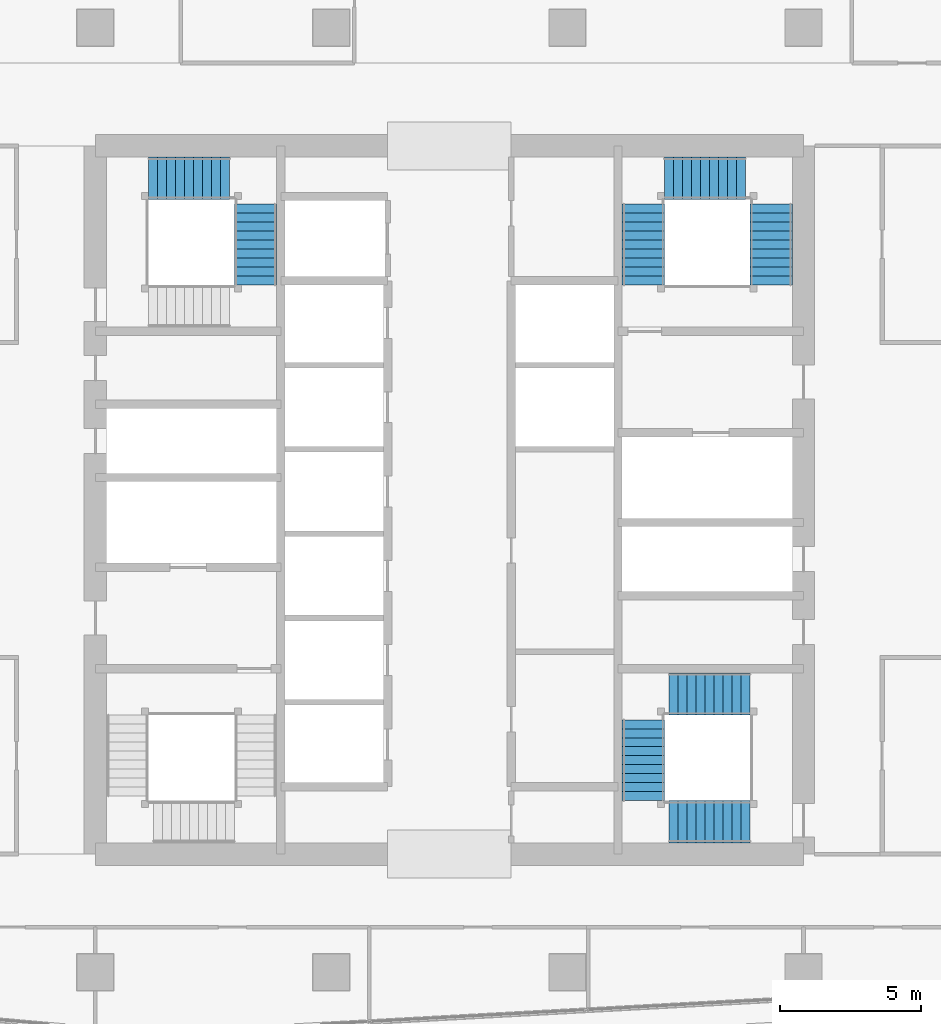
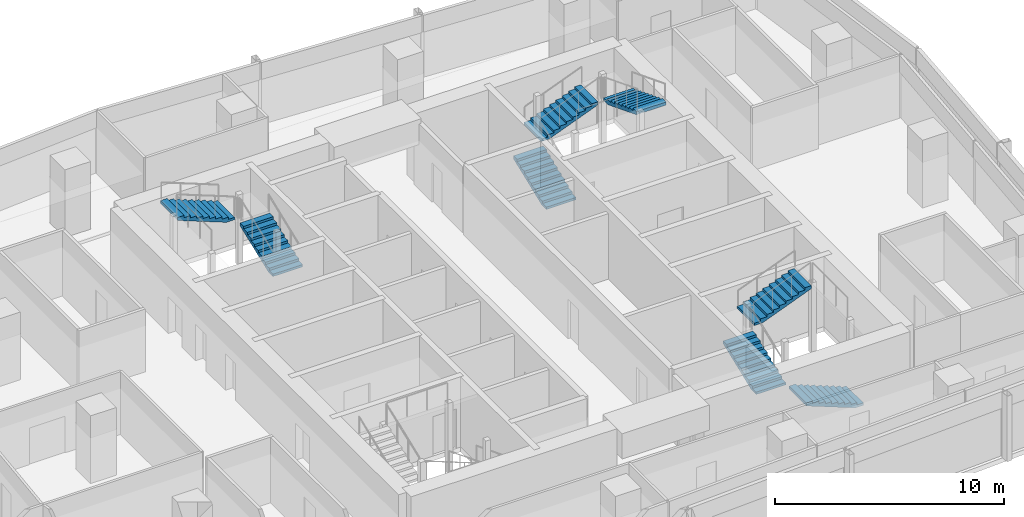
# One storey, part 25 of 30: 8 stair flights, 3 elements without a shape of their own.
"""IFC4 building model written with IfcOpenShell, lengths in metres."""

import ifcopenshell
import ifcopenshell.guid

model = None  # the IFC model being written
_history = None  # IfcOwnerHistory: only IFC2X3 demands one
_inside = {}  # id of a spatial element -> (the spatial element, [elements in it])
_under = {}  # id of a project, library or spatial element -> (it, [spatial elements below it])
_declared = {}  # id of a project -> (the project, [libraries it declares])
_typed = {}  # id of a type object -> (the type object, [elements of that type])
_made_of = {}  # id of a material, layer set ... -> (it, [elements and type objects made of it])


def new_model(schema):
    """Start an empty IFC model of exactly this schema.

    Asked for "IFC4X3", IfcOpenShell would pick the latest addendum, in which some entities
    have other attributes; the version numbers below select the first issue.
    IFC2X3 requires an IfcOwnerHistory on every rooted entity: one is made here for all.
    """
    global model, _history
    if schema == "IFC4X3":
        model = ifcopenshell.file(schema_version=(4, 3, 0, 0))
    else:
        model = ifcopenshell.file(schema=schema)
    _inside.clear()
    _under.clear()
    _declared.clear()
    _typed.clear()
    _made_of.clear()
    _history = None
    if model.schema == "IFC2X3":
        org = make("IfcOrganization", Name="unknown")
        user = make(
            "IfcPersonAndOrganization",
            ThePerson=make("IfcPerson", FamilyName="unknown"),
            TheOrganization=org,
        )
        app = make(
            "IfcApplication",
            ApplicationDeveloper=org,
            Version="unknown",
            ApplicationFullName="unknown",
            ApplicationIdentifier="unknown",
        )
        _history = make(
            "IfcOwnerHistory",
            OwningUser=user,
            OwningApplication=app,
            ChangeAction="ADDED",
            CreationDate=0,
        )
    return model


def make(cls, **values):
    """One entity of the class cls with the attributes given. An attribute that is None is left unset."""
    return model.create_entity(
        cls, **{name: value for name, value in values.items() if value is not None}
    )


def rooted(cls, **values):
    """An entity with a GlobalId (a new one), such as an element, a storey or a relation."""
    return make(cls, GlobalId=ifcopenshell.guid.new(), OwnerHistory=_history, **values)


def si_unit(unit_type, name, prefix=None):
    """IfcSIUnit, for example si_unit("LENGTHUNIT", "METRE", prefix="MILLI")."""
    return make("IfcSIUnit", UnitType=unit_type, Prefix=prefix, Name=name)


def assignment(units):
    """IfcUnitAssignment: the units of a project."""
    return None if units is None else make("IfcUnitAssignment", Units=units)


def point(xyz):
    """IfcCartesianPoint."""
    return None if xyz is None else make("IfcCartesianPoint", Coordinates=xyz)


def direction(xyz):
    """IfcDirection."""
    return None if xyz is None else make("IfcDirection", DirectionRatios=xyz)


def frame(location, z_axis=None, x_axis=None):
    """IfcAxis2Placement3D, a coordinate frame: its origin and axes. An axis left out is left unset."""
    return make(
        "IfcAxis2Placement3D",
        Location=point(location),
        Axis=direction(z_axis),
        RefDirection=direction(x_axis),
    )


def origin():
    """The frame at (0, 0, 0) with its axes left unset."""
    return frame((0.0, 0.0, 0.0))


def place(relative_to, where):
    """IfcLocalPlacement: puts the frame where relative to a parent placement (None: the world)."""
    return make(
        "IfcLocalPlacement", PlacementRelTo=relative_to, RelativePlacement=where
    )


def context(
    kind, dimensions, precision=None, world=None, true_north=None, identifier=None
):
    """IfcGeometricRepresentationContext, for example the 3D "Model" context."""
    return make(
        "IfcGeometricRepresentationContext",
        ContextIdentifier=identifier,
        ContextType=kind,
        CoordinateSpaceDimension=dimensions,
        Precision=precision,
        WorldCoordinateSystem=world,
        TrueNorth=true_north,
    )


def subcontext(parent, identifier, kind, view, scale=None):
    """IfcGeometricRepresentationSubContext, for example "Body" below "Model"."""
    return make(
        "IfcGeometricRepresentationSubContext",
        ContextIdentifier=identifier,
        ContextType=kind,
        ParentContext=parent,
        TargetScale=scale,
        TargetView=view,
    )


def project(units=None, contexts=None):
    """IfcProject with its units and contexts."""
    return rooted(
        "IfcProject",
        Name="project",
        RepresentationContexts=contexts,
        UnitsInContext=assignment(units),
    )


def spatial(cls, under=None, at=None, **own):
    """A site, building, storey or space (cls), placed at a placement, below another one or the project."""
    s = rooted(cls, ObjectPlacement=at, **own)
    if under is not None:
        _under.setdefault(under.id(), (under, []))[1].append(s)
    return s


def polyline(points):
    """IfcPolyline through the points."""
    return make("IfcPolyline", Points=[point(p) for p in points])


def outline(outer, holes=None, kind="AREA"):
    """IfcArbitraryClosedProfileDef: a profile drawn as a closed curve; with holes, ...WithVoids."""
    if holes is None:
        return make("IfcArbitraryClosedProfileDef", ProfileType=kind, OuterCurve=outer)
    return make(
        "IfcArbitraryProfileDefWithVoids",
        ProfileType=kind,
        OuterCurve=outer,
        InnerCurves=holes,
    )


def extrude(swept, where, along, depth):
    """IfcExtrudedAreaSolid: the profile swept, set in the frame where, extruded along a direction by depth."""
    return make(
        "IfcExtrudedAreaSolid",
        SweptArea=swept,
        Position=where,
        ExtrudedDirection=direction(along),
        Depth=depth,
    )


def shape(context_of_items, identifier, shape_type, items):
    """IfcShapeRepresentation: the items that make up one representation, for example the "Body"."""
    return make(
        "IfcShapeRepresentation",
        ContextOfItems=context_of_items,
        RepresentationIdentifier=identifier,
        RepresentationType=shape_type,
        Items=items,
    )


def material(Name=None, Category=None):
    """IfcMaterial."""
    return make("IfcMaterial", Name=Name, Category=Category)


def made_of(thing, what):
    """Note that an element or type object is made of a material, layer set ...; save() writes the relation."""
    if what is not None:
        _made_of.setdefault(what.id(), (what, []))[1].append(thing)
    return thing


def type_object(cls, material=None, **own):
    """A type object (cls), such as IfcWallType, which elements share."""
    return made_of(rooted(cls, **own), material)


def element(
    cls,
    number,
    at=None,
    inside=None,
    cuts=None,
    type_object=None,
    material=None,
    context=None,
    identifier="Body",
    shape_type=None,
    held_by="IfcProductDefinitionShape",
    body=None,
    shapes=None,
    **own,
):
    """One element of the class cls, such as IfcWall. Its Tag is "e" and its number.

    at: its placement. inside: the storey or other place that contains it. cuts: it is an
    opening in that element (IfcRelVoidsElement). A single representation is given by context,
    identifier, shape_type and body (its items); several are given by shapes. held_by: the class
    of the entity that holds the representations. save() writes the other relations.
    """
    e = rooted(cls, Tag="e%d" % number, ObjectPlacement=at, **own)
    if body is not None:
        shapes = [shape(context, identifier, shape_type, body)]
    if shapes is not None:
        e.Representation = make(held_by, Representations=shapes)
    if inside is not None:
        _inside.setdefault(inside.id(), (inside, []))[1].append(e)
    if cuts is not None:
        rooted(
            "IfcRelVoidsElement", RelatingBuildingElement=cuts, RelatedOpeningElement=e
        )
    if type_object is not None:
        _typed.setdefault(type_object.id(), (type_object, []))[1].append(e)
    return made_of(e, material)


def aggregate(whole, parts):
    """IfcRelAggregates: a whole, such as a stair, and the parts it consists of."""
    return rooted("IfcRelAggregates", RelatingObject=whole, RelatedObjects=parts)


def save(model, path):
    """Write the relations noted so far, then the file.

    IfcRelAggregates (storeys below a building ...), IfcRelContainedInSpatialStructure (elements
    in a storey), IfcRelDefinesByType, IfcRelAssociatesMaterial and IfcRelDeclares: one each for
    every whole, place, type object, material and project.
    """
    for whole, parts in _under.values():
        aggregate(whole, parts)
    for where, things in _inside.values():
        rooted(
            "IfcRelContainedInSpatialStructure",
            RelatedElements=things,
            RelatingStructure=where,
        )
    for kind, things in _typed.values():
        rooted("IfcRelDefinesByType", RelatedObjects=things, RelatingType=kind)
    for what, things in _made_of.values():
        rooted("IfcRelAssociatesMaterial", RelatedObjects=things, RelatingMaterial=what)
    for by, libraries in _declared.values():
        rooted("IfcRelDeclares", RelatingContext=by, RelatedDefinitions=libraries)
    model.write(path)


model = new_model("IFC4")

# Units and contexts
model_context = context("Model", 3, precision=1e-05, world=origin(), true_north=direction((0.0, 1.0)))
body_context = subcontext(model_context, "Body", "Model", "MODEL_VIEW")
ifc_project = project(units=[si_unit("LENGTHUNIT", "METRE"), si_unit("AREAUNIT", "SQUARE_METRE"), si_unit("VOLUMEUNIT", "CUBIC_METRE"), si_unit("PLANEANGLEUNIT", "RADIAN"), si_unit("MASSUNIT", "GRAM", prefix="KILO")], contexts=[model_context])

# Site, building, storey
site_placement = place(None, origin())
site = spatial("IfcSite", under=ifc_project, at=site_placement, CompositionType="ELEMENT")
building_placement = place(site_placement, origin())
building = spatial("IfcBuilding", under=site, at=building_placement, Name="Rekha Terrace Tower", CompositionType="ELEMENT")
storey_placement = place(building_placement, frame((0.0, 0.0, 265.10009765625)))
storey = spatial("IfcBuildingStorey", under=building, at=storey_placement, Name="L67", CompositionType="ELEMENT", Elevation=265.10009765625)

# Stair, stair flights
ifc_material = material(Name="Concrete M40", Category="concrete")
stair_type = type_object("IfcStairType", Name="ST30 stair, 30 risers of 125, going 320, 1500 wide flights, 3 flights", PredefinedType="HALF_TURN_STAIR", material=ifc_material)
stair_1_placement = place(storey_placement, origin())
stair_1 = element("IfcStair", 1, at=stair_1_placement, inside=storey, type_object=stair_type, Name="Stair ST2 L67 to L68", PredefinedType="HALF_TURN_STAIR")
stair_flight_type = type_object("IfcStairFlightType", Name="SF10 stair flight, 10 risers of 125, going 320, 1500 wide", PredefinedType="STRAIGHT", material=ifc_material)
stair_flight_1_placement = place(storey_placement, frame((44.699951171875, 41.25, 0.0), z_axis=(0.0, 0.0, 1.0), x_axis=(0.0, 1.0, 0.0)))
stair_flight_1 = element("IfcStairFlight", 2, at=stair_flight_1_placement, type_object=stair_flight_type, Name="ST2 flight 1", NumberOfRisers=10, NumberOfTreads=9, PredefinedType="STRAIGHT", RiserHeight=0.125, TreadLength=0.32, context=body_context, shape_type="SweptSolid", body=[
    extrude(outline(polyline([(0.0, 0.0), (0.0, 0.125), (0.320068359375, 0.125), (0.320068359375, 0.25), (0.639892578125, 0.25), (0.639892578125, 0.375), (0.9599609375, 0.375), (0.9599609375, 0.5), (1.280029296875, 0.5), (1.280029296875, 0.625), (1.60009765625, 0.625), (1.60009765625, 0.75), (1.919921875, 0.75), (1.919921875, 0.875), (2.239990234375, 0.875), (2.239990234375, 1.0), (2.56005859375, 1.0), (2.56005859375, 1.125), (2.8798828125, 1.125), (2.8798828125, 1.25), (2.8798828125, 0.964111328125), (0.412109375, 0.0), (0.0, 0.0)])), frame((0.0, 0.75, 0.0), z_axis=(0.0, -1.0, 0.0), x_axis=(1.0, 0.0, 0.0)), (0.0, 0.0, 1.0), 1.5),
])
stair_flight_2_placement = place(storey_placement, frame((45.449951171875, 45.050048828125, 1.25), z_axis=(0.0, 0.0, 1.0), x_axis=(1.0, 0.0, 0.0)))
stair_flight_2 = element("IfcStairFlight", 3, at=stair_flight_2_placement, type_object=stair_flight_type, Name="ST2 flight 2", NumberOfRisers=10, NumberOfTreads=9, PredefinedType="STRAIGHT", RiserHeight=0.125, TreadLength=0.32, context=body_context, shape_type="SweptSolid", body=[
    extrude(outline(polyline([(0.0, 0.0), (0.0, 0.125), (0.320068359375, 0.125), (0.320068359375, 0.25), (0.639892578125, 0.25), (0.639892578125, 0.375), (0.9599609375, 0.375), (0.9599609375, 0.5), (1.280029296875, 0.5), (1.280029296875, 0.625), (1.60009765625, 0.625), (1.60009765625, 0.75), (1.919921875, 0.75), (1.919921875, 0.875), (2.239990234375, 0.875), (2.239990234375, 1.0), (2.56005859375, 1.0), (2.56005859375, 1.125), (2.8798828125, 1.125), (2.8798828125, 1.25), (2.8798828125, 0.964111328125), (0.412109375, 0.0), (0.0, 0.0)])), frame((0.0, 0.75, 0.0), z_axis=(0.0, -1.0, 0.0), x_axis=(1.0, 0.0, 0.0)), (0.0, 0.0, 1.0), 1.5),
])
stair_flight_3_placement = place(storey_placement, frame((49.25, 44.1298828125, 2.5), z_axis=(0.0, 0.0, 1.0), x_axis=(0.0, -1.0, 0.0)))
stair_flight_3 = element("IfcStairFlight", 4, at=stair_flight_3_placement, type_object=stair_flight_type, Name="ST2 flight 3", NumberOfRisers=10, NumberOfTreads=9, PredefinedType="STRAIGHT", RiserHeight=0.125, TreadLength=0.32, context=body_context, shape_type="SweptSolid", body=[
    extrude(outline(polyline([(0.0, 0.0), (0.0, 0.125), (0.320068359375, 0.125), (0.320068359375, 0.25), (0.639892578125, 0.25), (0.639892578125, 0.375), (0.9599609375, 0.375), (0.9599609375, 0.5), (1.280029296875, 0.5), (1.280029296875, 0.625), (1.60009765625, 0.625), (1.60009765625, 0.75), (1.919921875, 0.75), (1.919921875, 0.875), (2.239990234375, 0.875), (2.239990234375, 1.0), (2.56005859375, 1.0), (2.56005859375, 1.125), (2.8798828125, 1.125), (2.8798828125, 1.25), (2.8798828125, 0.964111328125), (0.412109375, 0.0), (0.0, 0.0)])), frame((0.0, 0.75, 0.0), z_axis=(0.0, -1.0, 0.0), x_axis=(1.0, 0.0, 0.0)), (0.0, 0.0, 1.0), 1.5),
])
aggregate(stair_1, [stair_flight_1, stair_flight_2, stair_flight_3])

stair_2_placement = place(storey_placement, origin())
stair_2 = element("IfcStair", 5, at=stair_2_placement, inside=storey, type_object=stair_type, Name="Stair ST3 L67 to L68", PredefinedType="HALF_TURN_STAIR")
stair_flight_4_placement = place(storey_placement, frame((48.5, 22.14990234375, 0.0), z_axis=(0.0, 0.0, 1.0), x_axis=(-1.0, 0.0, 0.0)))
stair_flight_4 = element("IfcStairFlight", 6, at=stair_flight_4_placement, type_object=stair_flight_type, Name="ST3 flight 1", NumberOfRisers=10, NumberOfTreads=9, PredefinedType="STRAIGHT", RiserHeight=0.125, TreadLength=0.32, context=body_context, shape_type="SweptSolid", body=[
    extrude(outline(polyline([(0.0, 0.0), (0.0, 0.125), (0.320068359375, 0.125), (0.320068359375, 0.25), (0.639892578125, 0.25), (0.639892578125, 0.375), (0.9599609375, 0.375), (0.9599609375, 0.5), (1.280029296875, 0.5), (1.280029296875, 0.625), (1.60009765625, 0.625), (1.60009765625, 0.75), (1.919921875, 0.75), (1.919921875, 0.875), (2.239990234375, 0.875), (2.239990234375, 1.0), (2.56005859375, 1.0), (2.56005859375, 1.125), (2.8798828125, 1.125), (2.8798828125, 1.25), (2.8798828125, 0.964111328125), (0.412109375, 0.0), (0.0, 0.0)])), frame((0.0, 0.75, 0.0), z_axis=(0.0, -1.0, 0.0), x_axis=(1.0, 0.0, 0.0)), (0.0, 0.0, 1.0), 1.5),
])
stair_flight_5_placement = place(storey_placement, frame((44.699951171875, 22.89990234375, 1.25), z_axis=(0.0, 0.0, 1.0), x_axis=(0.0, 1.0, 0.0)))
stair_flight_5 = element("IfcStairFlight", 7, at=stair_flight_5_placement, type_object=stair_flight_type, Name="ST3 flight 2", NumberOfRisers=10, NumberOfTreads=9, PredefinedType="STRAIGHT", RiserHeight=0.125, TreadLength=0.32, context=body_context, shape_type="SweptSolid", body=[
    extrude(outline(polyline([(0.0, 0.0), (0.0, 0.125), (0.320068359375, 0.125), (0.320068359375, 0.25), (0.639892578125, 0.25), (0.639892578125, 0.375), (0.9599609375, 0.375), (0.9599609375, 0.5), (1.280029296875, 0.5), (1.280029296875, 0.625), (1.60009765625, 0.625), (1.60009765625, 0.75), (1.919921875, 0.75), (1.919921875, 0.875), (2.239990234375, 0.875), (2.239990234375, 1.0), (2.56005859375, 1.0), (2.56005859375, 1.125), (2.8798828125, 1.125), (2.8798828125, 1.25), (2.8798828125, 0.964111328125), (0.412109375, 0.0), (0.0, 0.0)])), frame((0.0, 0.75, 0.0), z_axis=(0.0, -1.0, 0.0), x_axis=(1.0, 0.0, 0.0)), (0.0, 0.0, 1.0), 1.5),
])
stair_flight_6_placement = place(storey_placement, frame((45.6201171875, 26.699951171875, 2.5), z_axis=(0.0, 0.0, 1.0), x_axis=(1.0, 0.0, 0.0)))
stair_flight_6 = element("IfcStairFlight", 8, at=stair_flight_6_placement, type_object=stair_flight_type, Name="ST3 flight 3", NumberOfRisers=10, NumberOfTreads=9, PredefinedType="STRAIGHT", RiserHeight=0.125, TreadLength=0.32, context=body_context, shape_type="SweptSolid", body=[
    extrude(outline(polyline([(0.0, 0.0), (0.0, 0.125), (0.320068359375, 0.125), (0.320068359375, 0.25), (0.639892578125, 0.25), (0.639892578125, 0.375), (0.9599609375, 0.375), (0.9599609375, 0.5), (1.280029296875, 0.5), (1.280029296875, 0.625), (1.60009765625, 0.625), (1.60009765625, 0.75), (1.919921875, 0.75), (1.919921875, 0.875), (2.239990234375, 0.875), (2.239990234375, 1.0), (2.56005859375, 1.0), (2.56005859375, 1.125), (2.8798828125, 1.125), (2.8798828125, 1.25), (2.8798828125, 0.964111328125), (0.412109375, 0.0), (0.0, 0.0)])), frame((0.0, 0.75, 0.0), z_axis=(0.0, -1.0, 0.0), x_axis=(1.0, 0.0, 0.0)), (0.0, 0.0, 1.0), 1.5),
])
aggregate(stair_2, [stair_flight_4, stair_flight_5, stair_flight_6])

stair_3_placement = place(storey_placement, origin())
stair_3 = element("IfcStair", 9, at=stair_3_placement, inside=storey, type_object=stair_type, Name="Stair ST4 L67 to L68", PredefinedType="HALF_TURN_STAIR")
stair_flight_7_placement = place(storey_placement, frame((30.89990234375, 41.25, 1.25), z_axis=(0.0, 0.0, 1.0), x_axis=(0.0, 1.0, 0.0)))
stair_flight_7 = element("IfcStairFlight", 10, at=stair_flight_7_placement, type_object=stair_flight_type, Name="ST4 flight 2", NumberOfRisers=10, NumberOfTreads=9, PredefinedType="STRAIGHT", RiserHeight=0.125, TreadLength=0.32, context=body_context, shape_type="SweptSolid", body=[
    extrude(outline(polyline([(0.0, 0.0), (0.0, 0.125), (0.320068359375, 0.125), (0.320068359375, 0.25), (0.639892578125, 0.25), (0.639892578125, 0.375), (0.9599609375, 0.375), (0.9599609375, 0.5), (1.280029296875, 0.5), (1.280029296875, 0.625), (1.60009765625, 0.625), (1.60009765625, 0.75), (1.919921875, 0.75), (1.919921875, 0.875), (2.239990234375, 0.875), (2.239990234375, 1.0), (2.56005859375, 1.0), (2.56005859375, 1.125), (2.8798828125, 1.125), (2.8798828125, 1.25), (2.8798828125, 0.964111328125), (0.412109375, 0.0), (0.0, 0.0)])), frame((0.0, 0.75, 0.0), z_axis=(0.0, -1.0, 0.0), x_axis=(1.0, 0.0, 0.0)), (0.0, 0.0, 1.0), 1.5),
])
stair_flight_8_placement = place(storey_placement, frame((29.97998046875, 45.050048828125, 2.5), z_axis=(0.0, 0.0, 1.0), x_axis=(-1.0, 0.0, 0.0)))
stair_flight_8 = element("IfcStairFlight", 11, at=stair_flight_8_placement, type_object=stair_flight_type, Name="ST4 flight 3", NumberOfRisers=10, NumberOfTreads=9, PredefinedType="STRAIGHT", RiserHeight=0.125, TreadLength=0.32, context=body_context, shape_type="SweptSolid", body=[
    extrude(outline(polyline([(0.0, 0.0), (0.0, 0.125), (0.320068359375, 0.125), (0.320068359375, 0.25), (0.639892578125, 0.25), (0.639892578125, 0.375), (0.9599609375, 0.375), (0.9599609375, 0.5), (1.280029296875, 0.5), (1.280029296875, 0.625), (1.60009765625, 0.625), (1.60009765625, 0.75), (1.919921875, 0.75), (1.919921875, 0.875), (2.239990234375, 0.875), (2.239990234375, 1.0), (2.56005859375, 1.0), (2.56005859375, 1.125), (2.8798828125, 1.125), (2.8798828125, 1.25), (2.8798828125, 0.964111328125), (0.412109375, 0.0), (0.0, 0.0)])), frame((0.0, 0.75, 0.0), z_axis=(0.0, -1.0, 0.0), x_axis=(1.0, 0.0, 0.0)), (0.0, 0.0, 1.0), 1.5),
])
aggregate(stair_3, [stair_flight_7, stair_flight_8])

save(model, "model.ifc")
